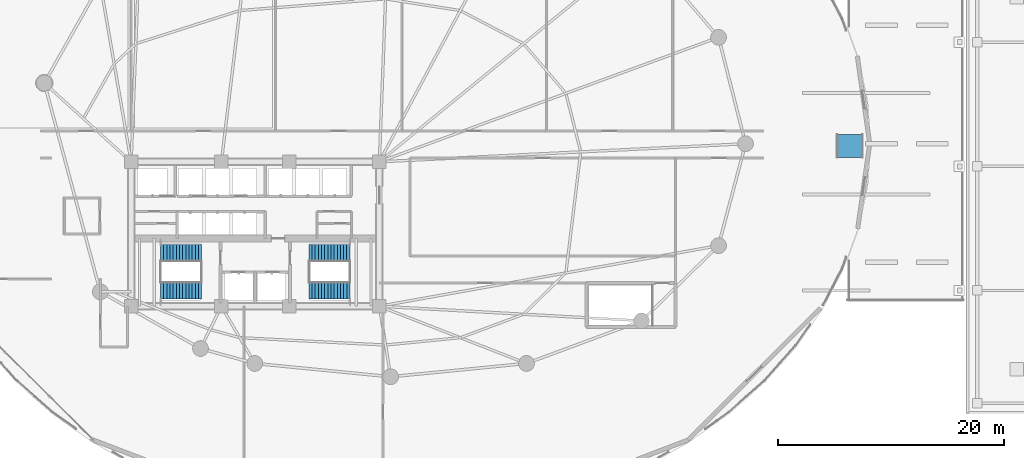
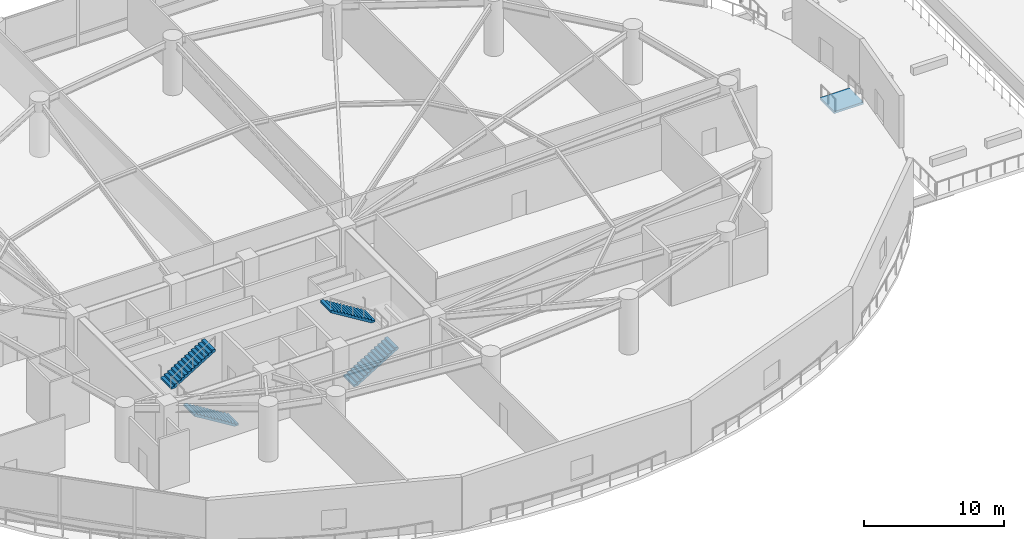
# One storey, part 20 of 26: 4 stair flights, 1 ramp flight, 3 elements without a shape of their own.
"""IFC4 building model written with IfcOpenShell, lengths in metres."""

from ifc_helpers import new_model, si_unit, direction, frame, origin, place, context, subcontext, project, spatial, polyline, outline, extrude, material, layer, layer_set, type_object, element, aggregate, save


model = new_model("IFC4")

# Units and contexts
model_context = context("Model", 3, precision=1e-05, world=origin(), true_north=direction((0.0, 1.0)))
body_context = subcontext(model_context, "Body", "Model", "MODEL_VIEW")
ifc_project = project(units=[si_unit("LENGTHUNIT", "METRE"), si_unit("AREAUNIT", "SQUARE_METRE"), si_unit("VOLUMEUNIT", "CUBIC_METRE"), si_unit("PLANEANGLEUNIT", "RADIAN"), si_unit("MASSUNIT", "GRAM", prefix="KILO")], contexts=[model_context])

# Site, building, storey
site_placement = place(None, origin())
site = spatial("IfcSite", under=ifc_project, at=site_placement, CompositionType="ELEMENT")
building_placement = place(site_placement, origin())
building = spatial("IfcBuilding", under=site, at=building_placement, Name="Kazevale Care Tower and Concert Hall", CompositionType="ELEMENT")
storey_placement = place(building_placement, frame((0.0, 0.0, 19.199951171875)))
storey = spatial("IfcBuildingStorey", under=building, at=storey_placement, Name="L04", CompositionType="ELEMENT", Elevation=19.199951171875)

# Stair, stair flights
ifc_material = material(Name="Concrete C40", Category="concrete")
stair_type = type_object("IfcStairType", Name="Exit Stair Assembly ST1-P", PredefinedType="HALF_TURN_STAIR", material=ifc_material)
stair_1_placement = place(storey_placement, origin())
stair_1 = element("IfcStair", 1, at=stair_1_placement, inside=storey, type_object=stair_type, Name="stair:L04:ST1", PredefinedType="HALF_TURN_STAIR")
ifc_layer_1 = layer(ifc_material, 0.159912109375)
ifc_layer_set_1 = layer_set([ifc_layer_1], Name="Concrete C40")
stair_flight_type = type_object("IfcStairFlightType", Name="Exit Stair Flight ST1-P", PredefinedType="STRAIGHT", material=ifc_layer_set_1)
stair_flight_1_placement = place(storey_placement, frame((28.25, 25.0, 0.0), z_axis=(0.0, 0.0, 1.0), x_axis=(-1.0, 0.0, 0.0)))
stair_flight_1 = element("IfcStairFlight", 2, at=stair_flight_1_placement, type_object=stair_flight_type, Name="ST1-P flight 1", NumberOfRisers=14, NumberOfTreads=13, PredefinedType="STRAIGHT", RiserHeight=0.171429, TreadLength=0.28, context=body_context, shape_type="SweptSolid", body=[
    extrude(outline(polyline([(0.0, 0.0), (0.0, 0.17138671875), (0.280029296875, 0.17138671875), (0.280029296875, 0.3427734375), (0.56005859375, 0.3427734375), (0.56005859375, 0.514404296875), (0.840087890625, 0.514404296875), (0.840087890625, 0.685791015625), (1.1201171875, 0.685791015625), (1.1201171875, 0.857177734375), (1.39990234375, 0.857177734375), (1.39990234375, 1.028564453125), (1.679931640625, 1.028564453125), (1.679931640625, 1.199951171875), (1.9599609375, 1.199951171875), (1.9599609375, 1.371337890625), (2.239990234375, 1.371337890625), (2.239990234375, 1.54296875), (2.52001953125, 1.54296875), (2.52001953125, 1.71435546875), (2.800048828125, 1.71435546875), (2.800048828125, 1.8857421875), (3.080078125, 1.8857421875), (3.080078125, 2.05712890625), (3.360107421875, 2.05712890625), (3.360107421875, 2.228515625), (3.639892578125, 2.228515625), (3.639892578125, 2.39990234375), (3.639892578125, 2.041015625), (0.30615234375, 0.0), (0.0, 0.0)])), frame((0.0, 0.75, 0.0), z_axis=(0.0, -1.0, 0.0), x_axis=(1.0, 0.0, 0.0)), (0.0, 0.0, 1.0), 1.5),
])
stair_flight_2_placement = place(storey_placement, frame((24.610107421875, 28.300048828125, 2.400146484375), z_axis=(0.0, 0.0, 1.0), x_axis=(1.0, 0.0, 0.0)))
stair_flight_2 = element("IfcStairFlight", 3, at=stair_flight_2_placement, type_object=stair_flight_type, Name="ST1-P flight 2", NumberOfRisers=14, NumberOfTreads=13, PredefinedType="STRAIGHT", RiserHeight=0.171429, TreadLength=0.28, context=body_context, shape_type="SweptSolid", body=[
    extrude(outline(polyline([(0.0, 0.0), (0.0, 0.17138671875), (0.280029296875, 0.17138671875), (0.280029296875, 0.3427734375), (0.56005859375, 0.3427734375), (0.56005859375, 0.514404296875), (0.840087890625, 0.514404296875), (0.840087890625, 0.685791015625), (1.1201171875, 0.685791015625), (1.1201171875, 0.857177734375), (1.39990234375, 0.857177734375), (1.39990234375, 1.028564453125), (1.679931640625, 1.028564453125), (1.679931640625, 1.199951171875), (1.9599609375, 1.199951171875), (1.9599609375, 1.371337890625), (2.239990234375, 1.371337890625), (2.239990234375, 1.54296875), (2.52001953125, 1.54296875), (2.52001953125, 1.71435546875), (2.800048828125, 1.71435546875), (2.800048828125, 1.8857421875), (3.080078125, 1.8857421875), (3.080078125, 2.05712890625), (3.360107421875, 2.05712890625), (3.360107421875, 2.228515625), (3.639892578125, 2.228515625), (3.639892578125, 2.39990234375), (3.639892578125, 2.041015625), (0.30615234375, 0.0), (0.0, 0.0)])), frame((0.0, 0.75, 0.0), z_axis=(0.0, -1.0, 0.0), x_axis=(1.0, 0.0, 0.0)), (0.0, 0.0, 1.0), 1.5),
])
aggregate(stair_1, [stair_flight_1, stair_flight_2])

stair_2_placement = place(storey_placement, origin())
stair_2 = element("IfcStair", 4, at=stair_2_placement, inside=storey, type_object=stair_type, Name="stair:L04:ST2", PredefinedType="HALF_TURN_STAIR")
stair_flight_3_placement = place(storey_placement, frame((37.75, 25.0, 0.0), z_axis=(0.0, 0.0, 1.0), x_axis=(1.0, 0.0, 0.0)))
stair_flight_3 = element("IfcStairFlight", 5, at=stair_flight_3_placement, type_object=stair_flight_type, Name="ST1-P flight 1", NumberOfRisers=14, NumberOfTreads=13, PredefinedType="STRAIGHT", RiserHeight=0.171429, TreadLength=0.28, context=body_context, shape_type="SweptSolid", body=[
    extrude(outline(polyline([(0.0, 0.0), (0.0, 0.17138671875), (0.280029296875, 0.17138671875), (0.280029296875, 0.3427734375), (0.56005859375, 0.3427734375), (0.56005859375, 0.514404296875), (0.840087890625, 0.514404296875), (0.840087890625, 0.685791015625), (1.1201171875, 0.685791015625), (1.1201171875, 0.857177734375), (1.39990234375, 0.857177734375), (1.39990234375, 1.028564453125), (1.679931640625, 1.028564453125), (1.679931640625, 1.199951171875), (1.9599609375, 1.199951171875), (1.9599609375, 1.371337890625), (2.239990234375, 1.371337890625), (2.239990234375, 1.54296875), (2.52001953125, 1.54296875), (2.52001953125, 1.71435546875), (2.800048828125, 1.71435546875), (2.800048828125, 1.8857421875), (3.080078125, 1.8857421875), (3.080078125, 2.05712890625), (3.360107421875, 2.05712890625), (3.360107421875, 2.228515625), (3.639892578125, 2.228515625), (3.639892578125, 2.39990234375), (3.639892578125, 2.041015625), (0.30615234375, 0.0), (0.0, 0.0)])), frame((0.0, 0.75, 0.0), z_axis=(0.0, -1.0, 0.0), x_axis=(1.0, 0.0, 0.0)), (0.0, 0.0, 1.0), 1.5),
])
stair_flight_4_placement = place(storey_placement, frame((41.389892578125, 28.300048828125, 2.400146484375), z_axis=(0.0, 0.0, 1.0), x_axis=(-1.0, 0.0, 0.0)))
stair_flight_4 = element("IfcStairFlight", 6, at=stair_flight_4_placement, type_object=stair_flight_type, Name="ST1-P flight 2", NumberOfRisers=14, NumberOfTreads=13, PredefinedType="STRAIGHT", RiserHeight=0.171429, TreadLength=0.28, context=body_context, shape_type="SweptSolid", body=[
    extrude(outline(polyline([(0.0, 0.0), (0.0, 0.17138671875), (0.280029296875, 0.17138671875), (0.280029296875, 0.3427734375), (0.56005859375, 0.3427734375), (0.56005859375, 0.514404296875), (0.840087890625, 0.514404296875), (0.840087890625, 0.685791015625), (1.1201171875, 0.685791015625), (1.1201171875, 0.857177734375), (1.39990234375, 0.857177734375), (1.39990234375, 1.028564453125), (1.679931640625, 1.028564453125), (1.679931640625, 1.199951171875), (1.9599609375, 1.199951171875), (1.9599609375, 1.371337890625), (2.239990234375, 1.371337890625), (2.239990234375, 1.54296875), (2.52001953125, 1.54296875), (2.52001953125, 1.71435546875), (2.800048828125, 1.71435546875), (2.800048828125, 1.8857421875), (3.080078125, 1.8857421875), (3.080078125, 2.05712890625), (3.360107421875, 2.05712890625), (3.360107421875, 2.228515625), (3.639892578125, 2.228515625), (3.639892578125, 2.39990234375), (3.639892578125, 2.041015625), (0.30615234375, 0.0), (0.0, 0.0)])), frame((0.0, 0.75, 0.0), z_axis=(0.0, -1.0, 0.0), x_axis=(1.0, 0.0, 0.0)), (0.0, 0.0, 1.0), 1.5),
])
aggregate(stair_2, [stair_flight_3, stair_flight_4])

# Ramp, ramp flight
ramp_type = type_object("IfcRampType", Name="Accessible Entrance Ramp 1-in-12", PredefinedType="STRAIGHT_RUN_RAMP", material=ifc_material)
ramp_placement = place(storey_placement, origin())
ramp = element("IfcRamp", 7, at=ramp_placement, inside=storey, type_object=ramp_type, Name="ramp:L04:ped5", PredefinedType="STRAIGHT_RUN_RAMP")
ifc_layer_2 = layer(ifc_material, 0.199951171875)
ifc_layer_set_2 = layer_set([ifc_layer_2], Name="Concrete C40")
ramp_flight_type = type_object("IfcRampFlightType", Name="Accessible Ramp Flight Slab 200", PredefinedType="STRAIGHT", material=ifc_layer_set_2)
ramp_flight_placement = place(storey_placement, frame((84.5, 36.800048828125, -0.02001953125), z_axis=(0.0, -0.010009264196, 0.99994990606), x_axis=(0.0, 0.99994990606, 0.010009264196)))
ramp_flight = element("IfcRampFlight", 8, at=ramp_flight_placement, type_object=ramp_flight_type, Name="ramp:L04:ped5/F1", PredefinedType="STRAIGHT", context=body_context, shape_type="SweptSolid", body=[
    extrude(outline(polyline([(0.0, 0.0), (2.0, 0.0), (2.0, -2.39990234375), (0.0, -2.39990234375), (0.0, 0.0)])), origin(), (0.0, 0.0, -1.0), 0.199951171875),
])
aggregate(ramp, [ramp_flight])

save(model, "model.ifc")
